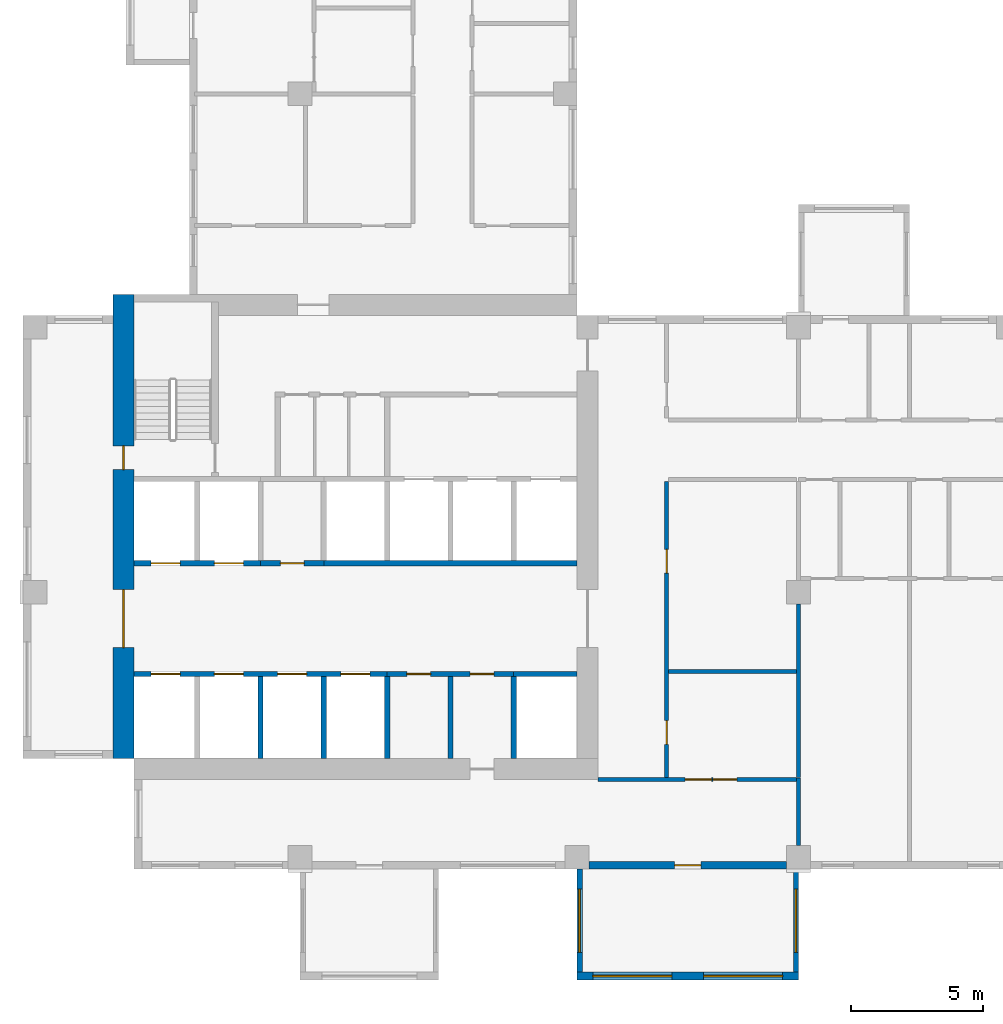
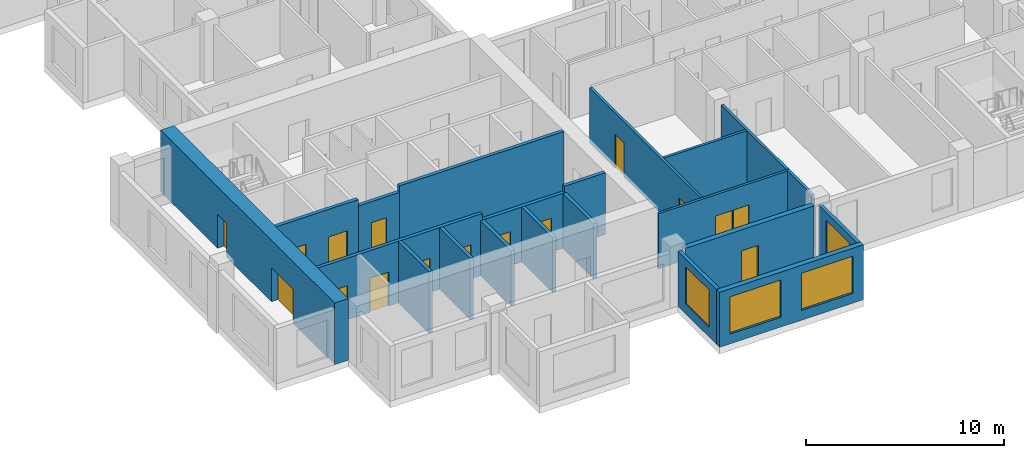
# One storey, part 2 of 12: 21 walls, 16 doors, 4 windows, 20 openings.
"""IFC4 building model written with IfcOpenShell, lengths in metres."""

from ifc_helpers import new_model, si_unit, direction, frame, frame_2d, origin, place, context, subcontext, project, spatial, rectangle, extrude, source, transform, mapped, material, layer, layer_set, type_object, element, fill, save


model = new_model("IFC4")

# Units and contexts
model_context = context("Model", 3, precision=1e-05, world=origin(), true_north=direction((0.0, 1.0)))
body_context = subcontext(model_context, "Body", "Model", "MODEL_VIEW")
ifc_project = project(units=[si_unit("LENGTHUNIT", "METRE"), si_unit("AREAUNIT", "SQUARE_METRE"), si_unit("VOLUMEUNIT", "CUBIC_METRE"), si_unit("PLANEANGLEUNIT", "RADIAN"), si_unit("MASSUNIT", "GRAM", prefix="KILO")], contexts=[model_context])

# Site, building, storey
site_placement = place(None, origin())
site = spatial("IfcSite", under=ifc_project, at=site_placement, CompositionType="ELEMENT")
building_placement = place(site_placement, origin())
building = spatial("IfcBuilding", under=site, at=building_placement, Name="Aurelian Terraces", CompositionType="ELEMENT")
storey_placement = place(building_placement, frame((0.0, 0.0, 219.6)))
storey = spatial("IfcBuildingStorey", under=building, at=storey_placement, Name="L49", CompositionType="ELEMENT", Elevation=219.6)

# Wall, openings, windows
ifc_material_1 = material(Name="Concrete fc' 40 MPa", Category="concrete")
ifc_layer_1 = layer(ifc_material_1, 0.3)
ifc_layer_set_1 = layer_set([ifc_layer_1], Name="BOX BEARING WALL 300")
wall_type_1 = type_object("IfcWallType", Name="BOX BEARING WALL 300", PredefinedType="SOLIDWALL", material=ifc_layer_set_1)
wall_1_placement = place(storey_placement, frame((21.0, -4.05, 0.0), z_axis=(0.0, 0.0, 1.0), x_axis=(1.0, 0.0, 0.0)))
wall_1 = element("IfcWall", 1, at=wall_1_placement, inside=storey, type_object=wall_type_1, Name="Box wall L49 J71", PredefinedType="SOLIDWALL", context=body_context, shape_type="SweptSolid", body=[
    extrude(rectangle(XDim=8.4, YDim=0.3, at=frame_2d((4.2, 0.0))), origin(), (0.0, 0.0, 1.0), 3.39),
])
shared_shape_1 = source(origin(), body_context, "Body", "SweptSolid", [
    extrude(rectangle(XDim=3.0, YDim=2.3, at=frame_2d((1.5, 1.15))), frame((0.0, 0.16, 0.0), z_axis=(0.0, -1.0, 0.0), x_axis=(1.0, 0.0, 0.0)), (0.0, 0.0, 1.0), 0.32),
])
opening_1_placement = place(wall_1_placement, frame((0.6, 0.0, 0.6)))
opening_1 = element("IfcOpeningElement", 2, at=opening_1_placement, cuts=wall_1, Name="Opening W3023", PredefinedType="OPENING", context=body_context, shape_type="MappedRepresentation", body=[
    mapped(shared_shape_1, transform((0.0, 0.0, 0.0), scale=1.0)),
])
opening_2_placement = place(wall_1_placement, frame((4.8, 0.0, 0.6)))
opening_2 = element("IfcOpeningElement", 3, at=opening_2_placement, cuts=wall_1, Name="Opening W3023", PredefinedType="OPENING", context=body_context, shape_type="MappedRepresentation", body=[
    mapped(shared_shape_1, transform((0.0, 0.0, 0.0), scale=1.0)),
])
ifc_material_2 = material(Name="Clear glazing", Category="glass")
window_type_1 = type_object("IfcWindowType", Name="W-3000x2300", PartitioningType="SINGLE_PANEL", PredefinedType="WINDOW", material=ifc_material_2)
shared_shape_2 = source(origin(), body_context, "Body", "SweptSolid", [
    extrude(rectangle(XDim=3.0, YDim=2.3, at=frame_2d((1.5, 1.15))), frame((0.0, 0.03, 0.0), z_axis=(0.0, -1.0, 0.0), x_axis=(1.0, 0.0, 0.0)), (0.0, 0.0, 1.0), 0.06),
])
window_1_placement = place(opening_1_placement, origin())
window_1 = element("IfcWindow", 4, at=window_1_placement, inside=storey, type_object=window_type_1, Name="Window L49 J71-F1", OverallHeight=2.3, OverallWidth=3.0, PartitioningType="SINGLE_PANEL", PredefinedType="WINDOW", context=body_context, shape_type="MappedRepresentation", body=[
    mapped(shared_shape_2, transform((0.0, 0.0, 0.0), scale=1.0)),
])
fill(opening_1, window_1)
window_2_placement = place(opening_2_placement, origin())
window_2 = element("IfcWindow", 5, at=window_2_placement, inside=storey, type_object=window_type_1, Name="Window L49 J71-F2", OverallHeight=2.3, OverallWidth=3.0, PartitioningType="SINGLE_PANEL", PredefinedType="WINDOW", context=body_context, shape_type="MappedRepresentation", body=[
    mapped(shared_shape_2, transform((0.0, 0.0, 0.0), scale=1.0)),
])
fill(opening_2, window_2)

# Wall, openings, doors
ifc_material_3 = material(Name="Concrete fc' 70 MPa", Category="concrete")
ifc_layer_2 = layer(ifc_material_3, 0.8)
ifc_layer_set_2 = layer_set([ifc_layer_2], Name="CORE WALL 800 FC70")
wall_type_2 = type_object("IfcWallType", Name="CORE WALL 800 FC70", PredefinedType="SHEAR", material=ifc_layer_set_2)
shared_shape_3 = source(origin(), body_context, "Body", "SweptSolid", [
    extrude(rectangle(XDim=17.6, YDim=0.8, at=frame_2d((8.8, 0.0))), origin(), (0.0, 0.0, 1.0), 3.8),
])
wall_2_placement = place(storey_placement, frame((3.8, 4.2, 0.0), z_axis=(0.0, 0.0, 1.0), x_axis=(0.0, 1.0, 0.0)))
wall_2 = element("IfcWall", 6, at=wall_2_placement, inside=storey, type_object=wall_type_2, Name="Core wall W L49", PredefinedType="SHEAR", context=body_context, shape_type="MappedRepresentation", body=[
    mapped(shared_shape_3, transform((0.0, 0.0, 0.0), scale=1.0)),
])
shared_shape_4 = source(origin(), body_context, "Body", "SweptSolid", [
    extrude(rectangle(XDim=2.2, YDim=2.1, at=frame_2d((1.1, 1.05))), frame((0.0, 0.41, 0.0), z_axis=(0.0, -1.0, 0.0), x_axis=(1.0, 0.0, 0.0)), (0.0, 0.0, 1.0), 0.82),
])
opening_3_placement = place(wall_2_placement, frame((4.2, 0.0, 0.0)))
opening_3 = element("IfcOpeningElement", 7, at=opening_3_placement, cuts=wall_2, Name="Opening 65224", PredefinedType="OPENING", context=body_context, shape_type="MappedRepresentation", body=[
    mapped(shared_shape_4, transform((0.0, 0.0, 0.0), scale=1.0)),
])
shared_shape_5 = source(origin(), body_context, "Body", "SweptSolid", [
    extrude(rectangle(XDim=0.9, YDim=2.1, at=frame_2d((0.45, 1.05))), frame((0.0, 0.41, 0.0), z_axis=(0.0, -1.0, 0.0), x_axis=(1.0, 0.0, 0.0)), (0.0, 0.0, 1.0), 0.82),
])
opening_4_placement = place(wall_2_placement, frame((10.95, 0.0, 0.0)))
opening_4 = element("IfcOpeningElement", 8, at=opening_4_placement, cuts=wall_2, Name="Opening 65228", PredefinedType="OPENING", context=body_context, shape_type="MappedRepresentation", body=[
    mapped(shared_shape_5, transform((0.0, 0.0, 0.0), scale=1.0)),
])
ifc_material_4 = material(Name="Steel door leaf", Category="steel")
door_type_1 = type_object("IfcDoorType", Name="Core service door 900x2100 right", OperationType="SINGLE_SWING_RIGHT", PredefinedType="DOOR", material=ifc_material_4)
shared_shape_6 = source(origin(), body_context, "Body", "SweptSolid", [
    extrude(rectangle(XDim=0.9, YDim=2.1, at=frame_2d((0.45, 1.05))), frame((0.0, 0.025, 0.0), z_axis=(0.0, -1.0, 0.0), x_axis=(1.0, 0.0, 0.0)), (0.0, 0.0, 1.0), 0.05),
])
door_1_placement = place(opening_4_placement, origin())
door_1 = element("IfcDoor", 9, at=door_1_placement, inside=storey, type_object=door_type_1, Name="Core door 65228", OperationType="SINGLE_SWING_RIGHT", OverallHeight=2.1, OverallWidth=0.9, PredefinedType="DOOR", context=body_context, shape_type="MappedRepresentation", body=[
    mapped(shared_shape_6, transform((0.0, 0.0, 0.0), scale=1.0)),
])
fill(opening_4, door_1)
door_type_2 = type_object("IfcDoorType", Name="Core double door 2200x2100", OperationType="DOUBLE_DOOR_SINGLE_SWING", PredefinedType="DOOR", material=ifc_material_4)
shared_shape_7 = source(origin(), body_context, "Body", "SweptSolid", [
    extrude(rectangle(XDim=2.2, YDim=2.1, at=frame_2d((1.1, 1.05))), frame((0.0, 0.025, 0.0), z_axis=(0.0, -1.0, 0.0), x_axis=(1.0, 0.0, 0.0)), (0.0, 0.0, 1.0), 0.05),
])
door_2_placement = place(opening_3_placement, origin())
door_2 = element("IfcDoor", 10, at=door_2_placement, inside=storey, type_object=door_type_2, Name="Core door 65224", OperationType="DOUBLE_DOOR_SINGLE_SWING", OverallHeight=2.1, OverallWidth=2.2, PredefinedType="DOOR", context=body_context, shape_type="MappedRepresentation", body=[
    mapped(shared_shape_7, transform((0.0, 0.0, 0.0), scale=1.0)),
])
fill(opening_3, door_2)

# Wall, opening, door
ifc_material_5 = material(Name="Terracotta rainscreen cladding", Category="masonry")
ifc_layer_3 = layer(ifc_material_5, 0.3)
ifc_layer_set_3 = layer_set([ifc_layer_3], Name="EW-300")
wall_type_3 = type_object("IfcWallType", Name="EW-300", PredefinedType="STANDARD", material=ifc_layer_set_3)
shared_shape_8 = source(origin(), body_context, "Body", "SweptSolid", [
    extrude(rectangle(XDim=7.5, YDim=0.3, at=frame_2d((3.75, 0.0))), origin(), (0.0, 0.0, 1.0), 3.4),
])
wall_3_placement = place(storey_placement, frame((21.45, 0.15, 0.0), z_axis=(0.0, 0.0, 1.0), x_axis=(1.0, 0.0, 0.0)))
wall_3 = element("IfcWall", 11, at=wall_3_placement, inside=storey, type_object=wall_type_3, Name="External wall L49 F01.3", PredefinedType="STANDARD", context=body_context, shape_type="MappedRepresentation", body=[
    mapped(shared_shape_8, transform((0.0, 0.0, 0.0), scale=1.0)),
])
shared_shape_9 = source(origin(), body_context, "Body", "SweptSolid", [
    extrude(rectangle(XDim=1.0, YDim=2.1, at=frame_2d((0.5, 1.05))), frame((0.0, 0.16, 0.0), z_axis=(0.0, -1.0, 0.0), x_axis=(1.0, 0.0, 0.0)), (0.0, 0.0, 1.0), 0.32),
])
opening_5_placement = place(wall_3_placement, frame((3.25, 0.0, 0.0)))
opening_5 = element("IfcOpeningElement", 12, at=opening_5_placement, cuts=wall_3, Name="Opening 849003", PredefinedType="OPENING", context=body_context, shape_type="MappedRepresentation", body=[
    mapped(shared_shape_9, transform((0.0, 0.0, 0.0), scale=1.0)),
])
ifc_material_6 = material(Name="Timber door leaf", Category="wood")
door_type_3 = type_object("IfcDoorType", Name="Room door 1000x2100 left", OperationType="SINGLE_SWING_LEFT", PredefinedType="DOOR", material=ifc_material_6)
shared_shape_10 = source(origin(), body_context, "Body", "SweptSolid", [
    extrude(rectangle(XDim=1.0, YDim=2.1, at=frame_2d((0.5, 1.05))), frame((0.0, 0.025, 0.0), z_axis=(0.0, -1.0, 0.0), x_axis=(1.0, 0.0, 0.0)), (0.0, 0.0, 1.0), 0.05),
])
door_3_placement = place(opening_5_placement, origin())
door_3 = element("IfcDoor", 13, at=door_3_placement, inside=storey, type_object=door_type_3, Name="Door 849003", OperationType="SINGLE_SWING_LEFT", OverallHeight=2.1, OverallWidth=1.0, PredefinedType="DOOR", context=body_context, shape_type="MappedRepresentation", body=[
    mapped(shared_shape_10, transform((0.0, 0.0, 0.0), scale=1.0)),
])
fill(opening_5, door_3)

# Wall, opening, window
ifc_layer_4 = layer(ifc_material_1, 0.2)
ifc_layer_set_4 = layer_set([ifc_layer_4], Name="BOX BEARING WALL 200")
wall_type_4 = type_object("IfcWallType", Name="BOX BEARING WALL 200", PredefinedType="SOLIDWALL", material=ifc_layer_set_4)
shared_shape_11 = source(origin(), body_context, "Body", "SweptSolid", [
    extrude(rectangle(XDim=3.9, YDim=0.2, at=frame_2d((1.95, 0.0))), origin(), (0.0, 0.0, 1.0), 3.39),
])
wall_4_placement = place(storey_placement, frame((21.1, 0.0, 0.0), z_axis=(0.0, 0.0, 1.0), x_axis=(0.0, -1.0, 0.0)))
wall_4 = element("IfcWall", 14, at=wall_4_placement, inside=storey, type_object=wall_type_4, Name="Box return L49 J71.1", PredefinedType="SOLIDWALL", context=body_context, shape_type="MappedRepresentation", body=[
    mapped(shared_shape_11, transform((0.0, 0.0, 0.0), scale=1.0)),
])
shared_shape_12 = source(origin(), body_context, "Body", "SweptSolid", [
    extrude(rectangle(XDim=2.4, YDim=2.3, at=frame_2d((1.2, 1.15))), frame((0.0, 0.11, 0.0), z_axis=(0.0, -1.0, 0.0), x_axis=(1.0, 0.0, 0.0)), (0.0, 0.0, 1.0), 0.22),
])
opening_6_placement = place(wall_4_placement, frame((0.75, 0.0, 0.6)))
opening_6 = element("IfcOpeningElement", 15, at=opening_6_placement, cuts=wall_4, Name="Opening W2423", PredefinedType="OPENING", context=body_context, shape_type="MappedRepresentation", body=[
    mapped(shared_shape_12, transform((0.0, 0.0, 0.0), scale=1.0)),
])
window_type_2 = type_object("IfcWindowType", Name="W-2400x2300", PartitioningType="SINGLE_PANEL", PredefinedType="WINDOW", material=ifc_material_2)
shared_shape_13 = source(origin(), body_context, "Body", "SweptSolid", [
    extrude(rectangle(XDim=2.4, YDim=2.3, at=frame_2d((1.2, 1.15))), frame((0.0, 0.03, 0.0), z_axis=(0.0, -1.0, 0.0), x_axis=(1.0, 0.0, 0.0)), (0.0, 0.0, 1.0), 0.06),
])
window_3_placement = place(opening_6_placement, origin())
window_3 = element("IfcWindow", 16, at=window_3_placement, inside=storey, type_object=window_type_2, Name="Window L49 J71-S1", OverallHeight=2.3, OverallWidth=2.4, PartitioningType="SINGLE_PANEL", PredefinedType="WINDOW", context=body_context, shape_type="MappedRepresentation", body=[
    mapped(shared_shape_13, transform((0.0, 0.0, 0.0), scale=1.0)),
])
fill(opening_6, window_3)

wall_5_placement = place(storey_placement, frame((29.3, 0.0, 0.0), z_axis=(0.0, 0.0, 1.0), x_axis=(0.0, -1.0, 0.0)))
wall_5 = element("IfcWall", 17, at=wall_5_placement, inside=storey, type_object=wall_type_4, Name="Box return L49 J71.2", PredefinedType="SOLIDWALL", context=body_context, shape_type="MappedRepresentation", body=[
    mapped(shared_shape_11, transform((0.0, 0.0, 0.0), scale=1.0)),
])
opening_7_placement = place(wall_5_placement, frame((0.75, 0.0, 0.6)))
opening_7 = element("IfcOpeningElement", 18, at=opening_7_placement, cuts=wall_5, Name="Opening W2423", PredefinedType="OPENING", context=body_context, shape_type="MappedRepresentation", body=[
    mapped(shared_shape_12, transform((0.0, 0.0, 0.0), scale=1.0)),
])
window_4_placement = place(opening_7_placement, origin())
window_4 = element("IfcWindow", 19, at=window_4_placement, inside=storey, type_object=window_type_2, Name="Window L49 J71-S2", OverallHeight=2.3, OverallWidth=2.4, PartitioningType="SINGLE_PANEL", PredefinedType="WINDOW", context=body_context, shape_type="MappedRepresentation", body=[
    mapped(shared_shape_13, transform((0.0, 0.0, 0.0), scale=1.0)),
])
fill(opening_7, window_4)

# Walls
ifc_layer_5 = layer(ifc_material_1, 0.2)
ifc_layer_set_5 = layer_set([ifc_layer_5], Name="Lift shaft wall 200")
wall_type_5 = type_object("IfcWallType", Name="Lift shaft wall 200", PredefinedType="SOLIDWALL", material=ifc_layer_set_5)
shared_shape_14 = source(origin(), body_context, "Body", "SweptSolid", [
    extrude(rectangle(XDim=3.1, YDim=0.2, at=frame_2d((1.55, 0.0))), origin(), (0.0, 0.0, 1.0), 3.8),
])
for number, where, z_axis, x_axis, name in (
    (20, (9.0, 4.2, 0.0), (0.0, 0.0, 1.0), (0.0, 1.0, 0.0), "L49 core wall CD-A2"),
    (21, (11.4, 4.2, 0.0), (0.0, 0.0, 1.0), (0.0, 1.0, 0.0), "L49 core wall CD-A3"),
):
    element("IfcWall", number, at=place(storey_placement, frame(where, z_axis=z_axis, x_axis=x_axis)), inside=storey, type_object=wall_type_5, Name=name, PredefinedType="SOLIDWALL", context=body_context, shape_type="MappedRepresentation", body=[
        mapped(shared_shape_14, transform((0.0, 0.0, 0.0), scale=1.0)),
    ])
shared_shape_15 = source(origin(), body_context, "Body", "SweptSolid", [
    extrude(rectangle(XDim=3.1, YDim=0.2, at=frame_2d((1.55, 0.0))), origin(), (0.0, 0.0, 1.0), 3.4),
])
for number, where, z_axis, x_axis, name in (
    (22, (13.8, 4.2, 0.0), (0.0, 0.0, 1.0), (0.0, 1.0, 0.0), "L49 core wall CD-A4"),
    (23, (18.6, 4.2, 0.0), (0.0, 0.0, 1.0), (0.0, 1.0, 0.0), "L49 core wall CD-A6"),
):
    element("IfcWall", number, at=place(storey_placement, frame(where, z_axis=z_axis, x_axis=x_axis)), inside=storey, type_object=wall_type_5, Name=name, PredefinedType="SOLIDWALL", context=body_context, shape_type="MappedRepresentation", body=[
        mapped(shared_shape_15, transform((0.0, 0.0, 0.0), scale=1.0)),
    ])

# Wall, openings, doors
shared_shape_16 = source(origin(), body_context, "Body", "SweptSolid", [
    extrude(rectangle(XDim=9.6, YDim=0.2, at=frame_2d((4.8, 0.0))), origin(), (0.0, 0.0, 1.0), 3.8),
])
wall_6_placement = place(storey_placement, frame((4.2, 7.4, 0.0), z_axis=(0.0, 0.0, 1.0), x_axis=(1.0, 0.0, 0.0)))
wall_6 = element("IfcWall", 24, at=wall_6_placement, inside=storey, type_object=wall_type_5, Name="L49 core wall CF-AF1", PredefinedType="SOLIDWALL", context=body_context, shape_type="MappedRepresentation", body=[
    mapped(shared_shape_16, transform((0.0, 0.0, 0.0), scale=1.0)),
])
shared_shape_17 = source(origin(), body_context, "Body", "SweptSolid", [
    extrude(rectangle(XDim=1.1, YDim=2.1, at=frame_2d((0.55, 1.05))), frame((0.0, 0.11, 0.0), z_axis=(0.0, -1.0, 0.0), x_axis=(1.0, 0.0, 0.0)), (0.0, 0.0, 1.0), 0.22),
])
opening_8_placement = place(wall_6_placement, frame((0.65, 0.0, 0.0)))
opening_8 = element("IfcOpeningElement", 25, at=opening_8_placement, cuts=wall_6, Name="Opening 65200", PredefinedType="OPENING", context=body_context, shape_type="MappedRepresentation", body=[
    mapped(shared_shape_17, transform((0.0, 0.0, 0.0), scale=1.0)),
])
opening_9_placement = place(wall_6_placement, frame((3.05, 0.0, 0.0)))
opening_9 = element("IfcOpeningElement", 26, at=opening_9_placement, cuts=wall_6, Name="Opening 65201", PredefinedType="OPENING", context=body_context, shape_type="MappedRepresentation", body=[
    mapped(shared_shape_17, transform((0.0, 0.0, 0.0), scale=1.0)),
])
opening_10_placement = place(wall_6_placement, frame((5.45, 0.0, 0.0)))
opening_10 = element("IfcOpeningElement", 27, at=opening_10_placement, cuts=wall_6, Name="Opening 65202", PredefinedType="OPENING", context=body_context, shape_type="MappedRepresentation", body=[
    mapped(shared_shape_17, transform((0.0, 0.0, 0.0), scale=1.0)),
])
opening_11_placement = place(wall_6_placement, frame((7.85, 0.0, 0.0)))
opening_11 = element("IfcOpeningElement", 28, at=opening_11_placement, cuts=wall_6, Name="Opening 65203", PredefinedType="OPENING", context=body_context, shape_type="MappedRepresentation", body=[
    mapped(shared_shape_17, transform((0.0, 0.0, 0.0), scale=1.0)),
])
ifc_material_7 = material(Name="Stainless steel", Category="steel")
door_type_4 = type_object("IfcDoorType", Name="Lift landing door 1100x2100", OperationType="SLIDING_TO_LEFT", PredefinedType="DOOR", material=ifc_material_7)
shared_shape_18 = source(origin(), body_context, "Body", "SweptSolid", [
    extrude(rectangle(XDim=1.1, YDim=2.1, at=frame_2d((0.55, 1.05))), frame((0.0, 0.025, 0.0), z_axis=(0.0, -1.0, 0.0), x_axis=(1.0, 0.0, 0.0)), (0.0, 0.0, 1.0), 0.05),
])
door_4_placement = place(opening_8_placement, origin())
door_4 = element("IfcDoor", 29, at=door_4_placement, inside=storey, type_object=door_type_4, Name="Lift landing door LM1 L49", OperationType="SLIDING_TO_LEFT", OverallHeight=2.1, OverallWidth=1.1, PredefinedType="DOOR", context=body_context, shape_type="MappedRepresentation", body=[
    mapped(shared_shape_18, transform((0.0, 0.0, 0.0), scale=1.0)),
])
fill(opening_8, door_4)
door_5_placement = place(opening_9_placement, origin())
door_5 = element("IfcDoor", 30, at=door_5_placement, inside=storey, type_object=door_type_4, Name="Lift landing door LM2 L49", OperationType="SLIDING_TO_LEFT", OverallHeight=2.1, OverallWidth=1.1, PredefinedType="DOOR", context=body_context, shape_type="MappedRepresentation", body=[
    mapped(shared_shape_18, transform((0.0, 0.0, 0.0), scale=1.0)),
])
fill(opening_9, door_5)
door_6_placement = place(opening_10_placement, origin())
door_6 = element("IfcDoor", 31, at=door_6_placement, inside=storey, type_object=door_type_4, Name="Lift landing door LM3 L49", OperationType="SLIDING_TO_LEFT", OverallHeight=2.1, OverallWidth=1.1, PredefinedType="DOOR", context=body_context, shape_type="MappedRepresentation", body=[
    mapped(shared_shape_18, transform((0.0, 0.0, 0.0), scale=1.0)),
])
fill(opening_10, door_6)
door_7_placement = place(opening_11_placement, origin())
door_7 = element("IfcDoor", 32, at=door_7_placement, inside=storey, type_object=door_type_4, Name="Lift landing door LM4 L49", OperationType="SLIDING_TO_LEFT", OverallHeight=2.1, OverallWidth=1.1, PredefinedType="DOOR", context=body_context, shape_type="MappedRepresentation", body=[
    mapped(shared_shape_18, transform((0.0, 0.0, 0.0), scale=1.0)),
])
fill(opening_11, door_7)

# Wall
wall_7_placement = place(storey_placement, frame((11.4, 11.6, 0.0), z_axis=(0.0, 0.0, 1.0), x_axis=(1.0, 0.0, 0.0)))
element("IfcWall", 33, at=wall_7_placement, inside=storey, type_object=wall_type_5, Name="L49 core wall CF-BF3", PredefinedType="SOLIDWALL", context=body_context, shape_type="MappedRepresentation", body=[
    mapped(shared_shape_16, transform((0.0, 0.0, 0.0), scale=1.0)),
])

# Wall, openings, doors
shared_shape_19 = source(origin(), body_context, "Body", "SweptSolid", [
    extrude(rectangle(XDim=4.8, YDim=0.2, at=frame_2d((2.4, 0.0))), origin(), (0.0, 0.0, 1.0), 3.8),
])
wall_8_placement = place(storey_placement, frame((4.2, 11.6, 0.0), z_axis=(0.0, 0.0, 1.0), x_axis=(1.0, 0.0, 0.0)))
wall_8 = element("IfcWall", 34, at=wall_8_placement, inside=storey, type_object=wall_type_5, Name="L49 core wall CF-BF1", PredefinedType="SOLIDWALL", context=body_context, shape_type="MappedRepresentation", body=[
    mapped(shared_shape_19, transform((0.0, 0.0, 0.0), scale=1.0)),
])
opening_12_placement = place(wall_8_placement, frame((0.65, 0.0, 0.0)))
opening_12 = element("IfcOpeningElement", 35, at=opening_12_placement, cuts=wall_8, Name="Opening 65206", PredefinedType="OPENING", context=body_context, shape_type="MappedRepresentation", body=[
    mapped(shared_shape_17, transform((0.0, 0.0, 0.0), scale=1.0)),
])
opening_13_placement = place(wall_8_placement, frame((3.05, 0.0, 0.0)))
opening_13 = element("IfcOpeningElement", 36, at=opening_13_placement, cuts=wall_8, Name="Opening 65207", PredefinedType="OPENING", context=body_context, shape_type="MappedRepresentation", body=[
    mapped(shared_shape_17, transform((0.0, 0.0, 0.0), scale=1.0)),
])
door_8_placement = place(opening_12_placement, origin())
door_8 = element("IfcDoor", 37, at=door_8_placement, inside=storey, type_object=door_type_4, Name="Lift landing door LM5 L49", OperationType="SLIDING_TO_LEFT", OverallHeight=2.1, OverallWidth=1.1, PredefinedType="DOOR", context=body_context, shape_type="MappedRepresentation", body=[
    mapped(shared_shape_18, transform((0.0, 0.0, 0.0), scale=1.0)),
])
fill(opening_12, door_8)
door_9_placement = place(opening_13_placement, origin())
door_9 = element("IfcDoor", 38, at=door_9_placement, inside=storey, type_object=door_type_4, Name="Lift landing door LM6 L49", OperationType="SLIDING_TO_LEFT", OverallHeight=2.1, OverallWidth=1.1, PredefinedType="DOOR", context=body_context, shape_type="MappedRepresentation", body=[
    mapped(shared_shape_18, transform((0.0, 0.0, 0.0), scale=1.0)),
])
fill(opening_13, door_9)

# Wall, opening, door
shared_shape_20 = source(origin(), body_context, "Body", "SweptSolid", [
    extrude(rectangle(XDim=2.4, YDim=0.2, at=frame_2d((1.2, 0.0))), origin(), (0.0, 0.0, 1.0), 3.4),
])
wall_9_placement = place(storey_placement, frame((9.0, 11.6, 0.0), z_axis=(0.0, 0.0, 1.0), x_axis=(1.0, 0.0, 0.0)))
wall_9 = element("IfcWall", 39, at=wall_9_placement, inside=storey, type_object=wall_type_5, Name="L49 core wall CF-BF2", PredefinedType="SOLIDWALL", context=body_context, shape_type="MappedRepresentation", body=[
    mapped(shared_shape_20, transform((0.0, 0.0, 0.0), scale=1.0)),
])
shared_shape_21 = source(origin(), body_context, "Body", "SweptSolid", [
    extrude(rectangle(XDim=0.9, YDim=2.1, at=frame_2d((0.45, 1.05))), frame((0.0, 0.11, 0.0), z_axis=(0.0, -1.0, 0.0), x_axis=(1.0, 0.0, 0.0)), (0.0, 0.0, 1.0), 0.22),
])
opening_14_placement = place(wall_9_placement, frame((0.75, 0.0, 0.0)))
opening_14 = element("IfcOpeningElement", 40, at=opening_14_placement, cuts=wall_9, Name="Opening 65208", PredefinedType="OPENING", context=body_context, shape_type="MappedRepresentation", body=[
    mapped(shared_shape_21, transform((0.0, 0.0, 0.0), scale=1.0)),
])
door_type_5 = type_object("IfcDoorType", Name="Core service door 900x2100", OperationType="SINGLE_SWING_LEFT", PredefinedType="DOOR", material=ifc_material_4)
door_10_placement = place(opening_14_placement, origin())
door_10 = element("IfcDoor", 41, at=door_10_placement, inside=storey, type_object=door_type_5, Name="Room door 65208", OperationType="SINGLE_SWING_LEFT", OverallHeight=2.1, OverallWidth=0.9, PredefinedType="DOOR", context=body_context, shape_type="MappedRepresentation", body=[
    mapped(shared_shape_6, transform((0.0, 0.0, 0.0), scale=1.0)),
])
fill(opening_14, door_10)

# Wall, openings, doors
shared_shape_22 = source(origin(), body_context, "Body", "SweptSolid", [
    extrude(rectangle(XDim=4.8, YDim=0.2, at=frame_2d((2.4, 0.0))), origin(), (0.0, 0.0, 1.0), 3.4),
])
wall_10_placement = place(storey_placement, frame((13.8, 7.4, 0.0), z_axis=(0.0, 0.0, 1.0), x_axis=(1.0, 0.0, 0.0)))
wall_10 = element("IfcWall", 42, at=wall_10_placement, inside=storey, type_object=wall_type_5, Name="L49 core wall CF-AF2", PredefinedType="SOLIDWALL", context=body_context, shape_type="MappedRepresentation", body=[
    mapped(shared_shape_22, transform((0.0, 0.0, 0.0), scale=1.0)),
])
opening_15_placement = place(wall_10_placement, frame((0.75, 0.0, 0.0)))
opening_15 = element("IfcOpeningElement", 43, at=opening_15_placement, cuts=wall_10, Name="Opening 65204", PredefinedType="OPENING", context=body_context, shape_type="MappedRepresentation", body=[
    mapped(shared_shape_21, transform((0.0, 0.0, 0.0), scale=1.0)),
])
opening_16_placement = place(wall_10_placement, frame((3.15, 0.0, 0.0)))
opening_16 = element("IfcOpeningElement", 44, at=opening_16_placement, cuts=wall_10, Name="Opening 65205", PredefinedType="OPENING", context=body_context, shape_type="MappedRepresentation", body=[
    mapped(shared_shape_21, transform((0.0, 0.0, 0.0), scale=1.0)),
])
door_11_placement = place(opening_15_placement, origin())
door_11 = element("IfcDoor", 45, at=door_11_placement, inside=storey, type_object=door_type_5, Name="Room door 65204", OperationType="SINGLE_SWING_LEFT", OverallHeight=2.1, OverallWidth=0.9, PredefinedType="DOOR", context=body_context, shape_type="MappedRepresentation", body=[
    mapped(shared_shape_6, transform((0.0, 0.0, 0.0), scale=1.0)),
])
fill(opening_15, door_11)
door_12_placement = place(opening_16_placement, origin())
door_12 = element("IfcDoor", 46, at=door_12_placement, inside=storey, type_object=door_type_1, Name="Room door 65205", OperationType="SINGLE_SWING_RIGHT", OverallHeight=2.1, OverallWidth=0.9, PredefinedType="DOOR", context=body_context, shape_type="MappedRepresentation", body=[
    mapped(shared_shape_6, transform((0.0, 0.0, 0.0), scale=1.0)),
])
fill(opening_16, door_12)

# Walls
shared_shape_23 = source(origin(), body_context, "Body", "SweptSolid", [
    extrude(rectangle(XDim=2.4, YDim=0.2, at=frame_2d((1.2, 0.0))), origin(), (0.0, 0.0, 1.0), 3.8),
])
wall_11_placement = place(storey_placement, frame((18.6, 7.4, 0.0), z_axis=(0.0, 0.0, 1.0), x_axis=(1.0, 0.0, 0.0)))
element("IfcWall", 47, at=wall_11_placement, inside=storey, type_object=wall_type_5, Name="L49 core wall CF-AF3", PredefinedType="SOLIDWALL", context=body_context, shape_type="MappedRepresentation", body=[
    mapped(shared_shape_23, transform((0.0, 0.0, 0.0), scale=1.0)),
])
ifc_material_8 = material(Name="Gypsum board on steel studs", Category="steel")
ifc_layer_6 = layer(ifc_material_8, 0.2)
ifc_layer_set_6 = layer_set([ifc_layer_6], Name="Core partition 200")
wall_type_6 = type_object("IfcWallType", Name="Core partition 200", PredefinedType="PARTITIONING", material=ifc_layer_set_6)
shared_shape_24 = source(origin(), body_context, "Body", "SweptSolid", [
    extrude(rectangle(XDim=3.1, YDim=0.2, at=frame_2d((1.55, 0.0))), origin(), (0.0, 0.0, 1.0), 3.4),
])
wall_12_placement = place(storey_placement, frame((16.2, 4.2, 0.0), z_axis=(0.0, 0.0, 1.0), x_axis=(0.0, 1.0, 0.0)))
element("IfcWall", 48, at=wall_12_placement, inside=storey, type_object=wall_type_6, Name="L49 core wall CS-A5", PredefinedType="PARTITIONING", context=body_context, shape_type="MappedRepresentation", body=[
    mapped(shared_shape_24, transform((0.0, 0.0, 0.0), scale=1.0)),
])
ifc_layer_7 = layer(ifc_material_8, 0.15)
ifc_layer_set_7 = layer_set([ifc_layer_7], Name="Partition 150")
wall_type_7 = type_object("IfcWallType", Name="Partition 150", PredefinedType="PARTITIONING", material=ifc_layer_set_7)
shared_shape_25 = source(origin(), body_context, "Body", "SweptSolid", [
    extrude(rectangle(XDim=6.576, YDim=0.15, at=frame_2d((3.288, 0.0))), origin(), (0.0, 0.0, 1.0), 3.4),
])
wall_13_placement = place(storey_placement, frame((29.4, 3.475, 0.0), z_axis=(0.0, 0.0, 1.0), x_axis=(0.0, 1.0, 0.0)))
element("IfcWall", 49, at=wall_13_placement, inside=storey, type_object=wall_type_7, Name="Partition", PredefinedType="PARTITIONING", context=body_context, shape_type="MappedRepresentation", body=[
    mapped(shared_shape_25, transform((0.0, 0.0, 0.0), scale=1.0)),
])
ifc_layer_8 = layer(ifc_material_8, 0.15)
ifc_layer_set_8 = layer_set([ifc_layer_8], Name="Fire partition 150")
wall_type_8 = type_object("IfcWallType", Name="Fire partition 150", PredefinedType="PARTITIONING", material=ifc_layer_set_8)
shared_shape_26 = source(origin(), body_context, "Body", "SweptSolid", [
    extrude(rectangle(XDim=2.556, YDim=0.15, at=frame_2d((1.278, 0.0))), origin(), (0.0, 0.0, 1.0), 3.4),
])
wall_14_placement = place(storey_placement, frame((29.4, 0.899, 0.0), z_axis=(0.0, 0.0, 1.0), x_axis=(0.0, 1.0, 0.0)))
element("IfcWall", 50, at=wall_14_placement, inside=storey, type_object=wall_type_8, Name="Party wall", PredefinedType="PARTITIONING", context=body_context, shape_type="MappedRepresentation", body=[
    mapped(shared_shape_26, transform((0.0, 0.0, 0.0), scale=1.0)),
])

# Wall, openings, doors
shared_shape_27 = source(origin(), body_context, "Body", "SweptSolid", [
    extrude(rectangle(XDim=7.525, YDim=0.15, at=frame_2d((3.7625, 0.0))), origin(), (0.0, 0.0, 1.0), 3.4),
])
wall_15_placement = place(storey_placement, frame((21.8, 3.4, 0.0), z_axis=(0.0, 0.0, 1.0), x_axis=(1.0, 0.0, 0.0)))
wall_15 = element("IfcWall", 51, at=wall_15_placement, inside=storey, type_object=wall_type_7, Name="Partition", PredefinedType="PARTITIONING", context=body_context, shape_type="MappedRepresentation", body=[
    mapped(shared_shape_27, transform((0.0, 0.0, 0.0), scale=1.0)),
])
shared_shape_28 = source(origin(), body_context, "Body", "SweptSolid", [
    extrude(rectangle(XDim=1.0, YDim=2.1, at=frame_2d((0.5, 1.05))), frame((0.0, 0.085, 0.0), z_axis=(0.0, -1.0, 0.0), x_axis=(1.0, 0.0, 0.0)), (0.0, 0.0, 1.0), 0.17),
])
opening_17_placement = place(wall_15_placement, frame((3.3, 0.0, 0.0)))
opening_17 = element("IfcOpeningElement", 52, at=opening_17_placement, cuts=wall_15, Name="Opening 749004", PredefinedType="OPENING", context=body_context, shape_type="MappedRepresentation", body=[
    mapped(shared_shape_28, transform((0.0, 0.0, 0.0), scale=1.0)),
])
shared_shape_29 = source(origin(), body_context, "Body", "SweptSolid", [
    extrude(rectangle(XDim=0.9, YDim=2.1, at=frame_2d((0.45, 1.05))), frame((0.0, 0.085, 0.0), z_axis=(0.0, -1.0, 0.0), x_axis=(1.0, 0.0, 0.0)), (0.0, 0.0, 1.0), 0.17),
])
opening_18_placement = place(wall_15_placement, frame((4.363, 0.0, 0.0)))
opening_18 = element("IfcOpeningElement", 53, at=opening_18_placement, cuts=wall_15, Name="Opening 749041", PredefinedType="OPENING", context=body_context, shape_type="MappedRepresentation", body=[
    mapped(shared_shape_29, transform((0.0, 0.0, 0.0), scale=1.0)),
])
door_type_6 = type_object("IfcDoorType", Name="Room door 1000x2100 right", OperationType="SINGLE_SWING_RIGHT", PredefinedType="DOOR", material=ifc_material_6)
door_13_placement = place(opening_17_placement, origin())
door_13 = element("IfcDoor", 54, at=door_13_placement, inside=storey, type_object=door_type_6, Name="Door 749004", OperationType="SINGLE_SWING_RIGHT", OverallHeight=2.1, OverallWidth=1.0, PredefinedType="DOOR", context=body_context, shape_type="MappedRepresentation", body=[
    mapped(shared_shape_10, transform((0.0, 0.0, 0.0), scale=1.0)),
])
fill(opening_17, door_13)
door_type_7 = type_object("IfcDoorType", Name="Room door 900x2100 left", OperationType="SINGLE_SWING_LEFT", PredefinedType="DOOR", material=ifc_material_6)
door_14_placement = place(opening_18_placement, origin())
door_14 = element("IfcDoor", 55, at=door_14_placement, inside=storey, type_object=door_type_7, Name="Door 749041", OperationType="SINGLE_SWING_LEFT", OverallHeight=2.1, OverallWidth=0.9, PredefinedType="DOOR", context=body_context, shape_type="MappedRepresentation", body=[
    mapped(shared_shape_6, transform((0.0, 0.0, 0.0), scale=1.0)),
])
fill(opening_18, door_14)

# Wall
shared_shape_30 = source(origin(), body_context, "Body", "SweptSolid", [
    extrude(rectangle(XDim=4.85, YDim=0.15, at=frame_2d((2.425, 0.0))), origin(), (0.0, 0.0, 1.0), 3.4),
])
wall_16_placement = place(storey_placement, frame((29.325, 7.5, 0.0), z_axis=(0.0, 0.0, 1.0), x_axis=(-1.0, 0.0, 0.0)))
element("IfcWall", 56, at=wall_16_placement, inside=storey, type_object=wall_type_7, Name="Partition", PredefinedType="PARTITIONING", context=body_context, shape_type="MappedRepresentation", body=[
    mapped(shared_shape_30, transform((0.0, 0.0, 0.0), scale=1.0)),
])

# Wall, openings, doors
shared_shape_31 = source(origin(), body_context, "Body", "SweptSolid", [
    extrude(rectangle(XDim=11.225, YDim=0.15, at=frame_2d((5.6125, 0.0))), origin(), (0.0, 0.0, 1.0), 3.4),
])
wall_17_placement = place(storey_placement, frame((24.4, 14.7, 0.0), z_axis=(0.0, 0.0, 1.0), x_axis=(0.0, -1.0, 0.0)))
wall_17 = element("IfcWall", 57, at=wall_17_placement, inside=storey, type_object=wall_type_7, Name="Partition", PredefinedType="PARTITIONING", context=body_context, shape_type="MappedRepresentation", body=[
    mapped(shared_shape_31, transform((0.0, 0.0, 0.0), scale=1.0)),
])
opening_19_placement = place(wall_17_placement, frame((9.0625, 0.0, 0.0)))
opening_19 = element("IfcOpeningElement", 58, at=opening_19_placement, cuts=wall_17, Name="Opening 749001", PredefinedType="OPENING", context=body_context, shape_type="MappedRepresentation", body=[
    mapped(shared_shape_29, transform((0.0, 0.0, 0.0), scale=1.0)),
])
opening_20_placement = place(wall_17_placement, frame((2.575, 0.0, 0.0)))
opening_20 = element("IfcOpeningElement", 59, at=opening_20_placement, cuts=wall_17, Name="Opening 749002", PredefinedType="OPENING", context=body_context, shape_type="MappedRepresentation", body=[
    mapped(shared_shape_29, transform((0.0, 0.0, 0.0), scale=1.0)),
])
door_15_placement = place(opening_19_placement, origin())
door_15 = element("IfcDoor", 60, at=door_15_placement, inside=storey, type_object=door_type_7, Name="Door 749001", OperationType="SINGLE_SWING_LEFT", OverallHeight=2.1, OverallWidth=0.9, PredefinedType="DOOR", context=body_context, shape_type="MappedRepresentation", body=[
    mapped(shared_shape_6, transform((0.0, 0.0, 0.0), scale=1.0)),
])
fill(opening_19, door_15)
door_type_8 = type_object("IfcDoorType", Name="Room door 900x2100 right", OperationType="SINGLE_SWING_RIGHT", PredefinedType="DOOR", material=ifc_material_6)
door_16_placement = place(opening_20_placement, origin())
door_16 = element("IfcDoor", 61, at=door_16_placement, inside=storey, type_object=door_type_8, Name="Door 749002", OperationType="SINGLE_SWING_RIGHT", OverallHeight=2.1, OverallWidth=0.9, PredefinedType="DOOR", context=body_context, shape_type="MappedRepresentation", body=[
    mapped(shared_shape_6, transform((0.0, 0.0, 0.0), scale=1.0)),
])
fill(opening_20, door_16)

save(model, "model.ifc")
